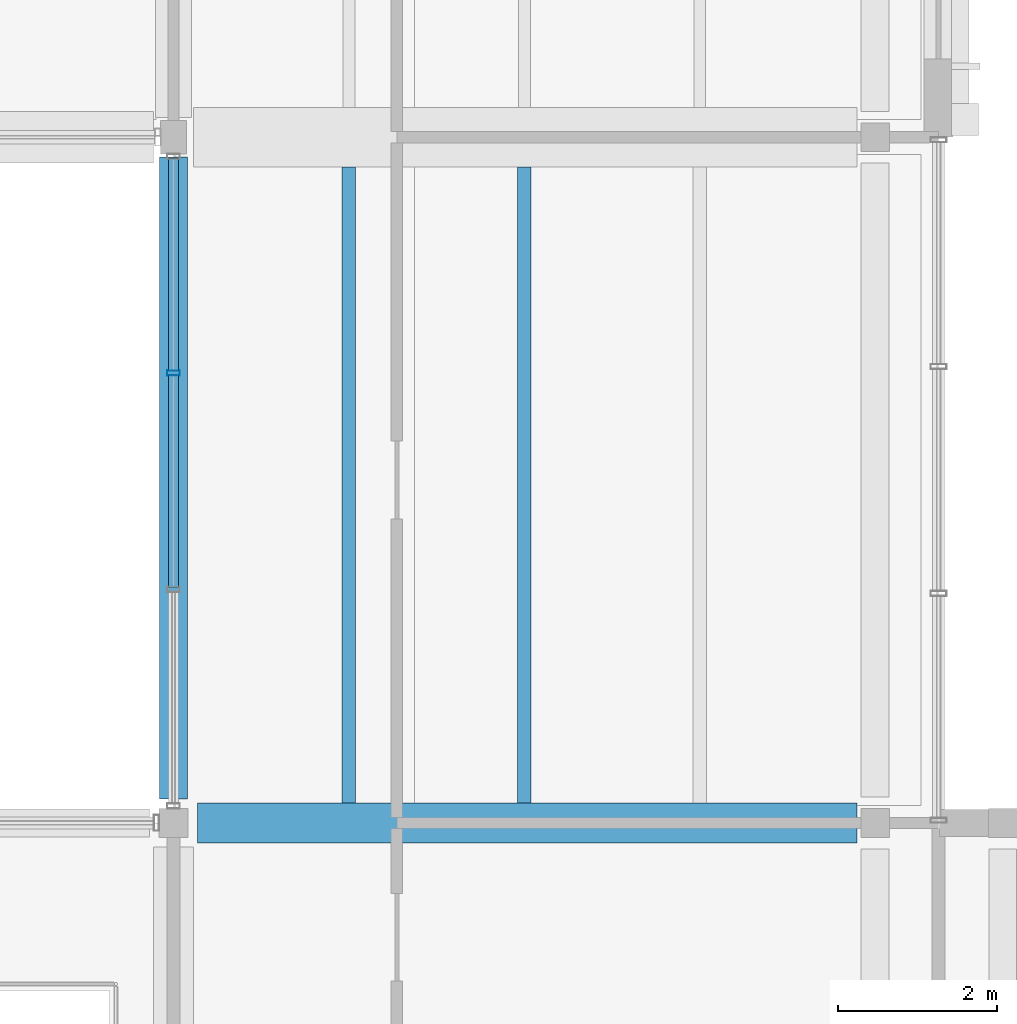
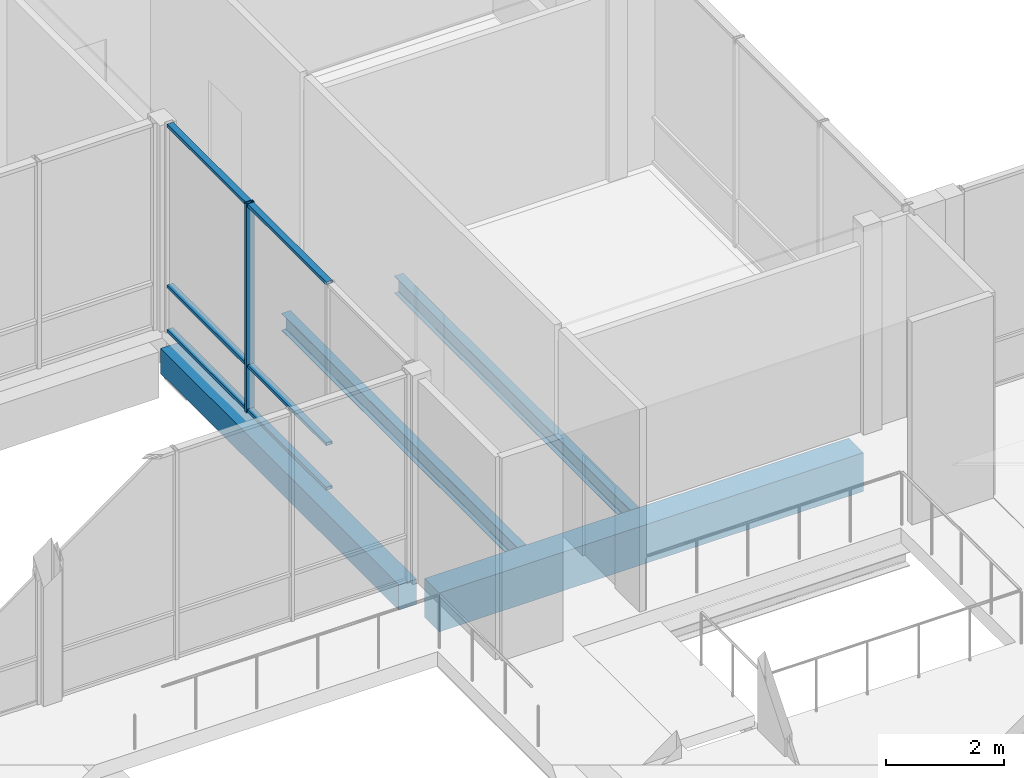
# One storey, part 50 of 146: 7 members, 4 beams, 1 element without a shape of its own.
"""IFC4 building model written with IfcOpenShell, lengths in metres."""

from ifc_helpers import new_model, si_unit, direction, frame, origin, origin_2d, place, context, subcontext, project, spatial, rectangle, hollow_rectangle, i_section, extrude, material, material_profile, profile_set, type_object, element, aggregate, save


model = new_model("IFC4")

# Units and contexts
model_context = context("Model", 3, precision=1e-05, world=origin(), true_north=direction((0.0, 1.0)))
body_context = subcontext(model_context, "Body", "Model", "MODEL_VIEW")
ifc_project = project(units=[si_unit("LENGTHUNIT", "METRE"), si_unit("AREAUNIT", "SQUARE_METRE"), si_unit("VOLUMEUNIT", "CUBIC_METRE"), si_unit("PLANEANGLEUNIT", "RADIAN"), si_unit("MASSUNIT", "GRAM", prefix="KILO")], contexts=[model_context])

# Site, building, storey
site_placement = place(None, origin())
site = spatial("IfcSite", under=ifc_project, at=site_placement, CompositionType="ELEMENT")
building_placement = place(site_placement, origin())
building = spatial("IfcBuilding", under=site, at=building_placement, Name="Hawrajan Terrace Health Centre", CompositionType="ELEMENT")
storey_placement = place(building_placement, frame((0.0, 0.0, 4.5)))
storey = spatial("IfcBuildingStorey", under=building, at=storey_placement, Name="L01", CompositionType="ELEMENT", Elevation=4.5)

# Curtain wall, members
ifc_material_1 = material(Name="Anodized bronze aluminium and low-E solar glazing", Category="aluminium")
curtain_wall_type = type_object("IfcCurtainWallType", Name="CW_Pavilion_SeriesE1", PredefinedType="USERDEFINED", material=ifc_material_1)
curtain_wall_placement = place(storey_placement, origin())
curtain_wall = element("IfcCurtainWall", 1, at=curtain_wall_placement, inside=storey, type_object=curtain_wall_type, Name="Curtain wall CW-L01-084", ObjectType="UNITISED CURTAIN WALL", PredefinedType="USERDEFINED")
ifc_material_2 = material(Name="Anodized bronze aluminium 6063-T6", Category="aluminium")
ifc_material_profile_1 = material_profile(ifc_material_2, hollow_rectangle(XDim=0.06494140625, YDim=0.159912109375, WallThickness=0.00390625, at=origin_2d()), Name="CW MUL 65x160")
ifc_profile_set_1 = profile_set([ifc_material_profile_1], Name="Anodized bronze aluminium 6063-T6")
member_type_1 = type_object("IfcMemberType", Name="CWMullion_65x160", PredefinedType="MULLION", material=ifc_profile_set_1)
member_1_placement = place(storey_placement, frame((62.199951171875, 42.4423828125, -0.0048828125), z_axis=(0.0, 0.0, 1.0), x_axis=(0.0, 1.0, 0.0)))
member_1 = element("IfcMember", 2, at=member_1_placement, type_object=member_type_1, Name="Mullion CW-L01-084-M3", PredefinedType="MULLION", context=body_context, shape_type="SweptSolid", body=[
    extrude(hollow_rectangle(XDim=0.06494140625, YDim=0.159912109375, WallThickness=0.00390625, at=origin_2d()), origin(), (0.0, 0.0, 1.0), 4.309814453125),
])
ifc_material_profile_2 = material_profile(ifc_material_2, hollow_rectangle(XDim=0.06494140625, YDim=0.1201171875, WallThickness=0.00341796875, at=origin_2d()), Name="CW TRN 65x120")
ifc_profile_set_2 = profile_set([ifc_material_profile_2], Name="Anodized bronze aluminium 6063-T6")
member_type_2 = type_object("IfcMemberType", Name="CWTransom_65x120", PredefinedType="USERDEFINED", material=ifc_profile_set_2)
member_2_placement = place(storey_placement, frame((62.199951171875, 39.75390625, 0.032470703125), z_axis=(0.0, 1.0, 0.0), x_axis=(0.0, 0.0, 1.0)))
member_2 = element("IfcMember", 3, at=member_2_placement, type_object=member_type_2, Name="Transom CW-L01-084-T2-1", ObjectType="TRANSOM", PredefinedType="USERDEFINED", context=body_context, shape_type="SweptSolid", body=[
    extrude(hollow_rectangle(XDim=0.06494140625, YDim=0.1201171875, WallThickness=0.00341796875, at=origin_2d()), origin(), (0.0, 0.0, 1.0), 2.662109375),
])
member_3_placement = place(storey_placement, frame((62.199951171875, 39.75390625, 0.949951171875), z_axis=(0.0, 1.0, 0.0), x_axis=(0.0, 0.0, 1.0)))
member_3 = element("IfcMember", 4, at=member_3_placement, type_object=member_type_2, Name="Transom CW-L01-084-T2-2", ObjectType="TRANSOM", PredefinedType="USERDEFINED", context=body_context, shape_type="SweptSolid", body=[
    extrude(hollow_rectangle(XDim=0.06494140625, YDim=0.1201171875, WallThickness=0.00341796875, at=origin_2d()), origin(), (0.0, 0.0, 1.0), 2.662109375),
])
member_4_placement = place(storey_placement, frame((62.199951171875, 39.75390625, 4.267578125), z_axis=(0.0, 1.0, 0.0), x_axis=(0.0, 0.0, 1.0)))
member_4 = element("IfcMember", 5, at=member_4_placement, type_object=member_type_2, Name="Transom CW-L01-084-T2-3", ObjectType="TRANSOM", PredefinedType="USERDEFINED", context=body_context, shape_type="SweptSolid", body=[
    extrude(hollow_rectangle(XDim=0.06494140625, YDim=0.1201171875, WallThickness=0.00341796875, at=origin_2d()), origin(), (0.0, 0.0, 1.0), 2.662109375),
])
member_5_placement = place(storey_placement, frame((62.199951171875, 42.468994140625, 0.032470703125), z_axis=(0.0, 1.0, 0.0), x_axis=(0.0, 0.0, 1.0)))
member_5 = element("IfcMember", 6, at=member_5_placement, type_object=member_type_2, Name="Transom CW-L01-084-T3-1", ObjectType="TRANSOM", PredefinedType="USERDEFINED", context=body_context, shape_type="SweptSolid", body=[
    extrude(hollow_rectangle(XDim=0.06494140625, YDim=0.1201171875, WallThickness=0.00341796875, at=origin_2d()), origin(), (0.0, 0.0, 1.0), 2.662109375),
])
member_6_placement = place(storey_placement, frame((62.199951171875, 42.468994140625, 0.949951171875), z_axis=(0.0, 1.0, 0.0), x_axis=(0.0, 0.0, 1.0)))
member_6 = element("IfcMember", 7, at=member_6_placement, type_object=member_type_2, Name="Transom CW-L01-084-T3-2", ObjectType="TRANSOM", PredefinedType="USERDEFINED", context=body_context, shape_type="SweptSolid", body=[
    extrude(hollow_rectangle(XDim=0.06494140625, YDim=0.1201171875, WallThickness=0.00341796875, at=origin_2d()), origin(), (0.0, 0.0, 1.0), 2.662109375),
])
member_7_placement = place(storey_placement, frame((62.199951171875, 42.468994140625, 4.267578125), z_axis=(0.0, 1.0, 0.0), x_axis=(0.0, 0.0, 1.0)))
member_7 = element("IfcMember", 8, at=member_7_placement, type_object=member_type_2, Name="Transom CW-L01-084-T3-3", ObjectType="TRANSOM", PredefinedType="USERDEFINED", context=body_context, shape_type="SweptSolid", body=[
    extrude(hollow_rectangle(XDim=0.06494140625, YDim=0.1201171875, WallThickness=0.00341796875, at=origin_2d()), origin(), (0.0, 0.0, 1.0), 2.662109375),
])
aggregate(curtain_wall, [member_1, member_2, member_3, member_4, member_5, member_6, member_7])

# Beams
ifc_material_3 = material(Name="Concrete C40/50", Category="concrete")
ifc_material_profile_3 = material_profile(ifc_material_3, rectangle(XDim=0.5, YDim=0.800048828125, at=origin_2d()), Name="RC BM 500x800")
ifc_profile_set_3 = profile_set([ifc_material_profile_3], Name="Concrete C40/50")
beam_type_1 = type_object("IfcBeamType", Name="RCGirder_500x800", PredefinedType="BEAM", material=ifc_profile_set_3)
beam_1_placement = place(storey_placement, frame((62.5, 36.800048828125, -0.699951171875), z_axis=(1.0, 0.0, 0.0), x_axis=(0.0, 1.0, 0.0)))
element("IfcBeam", 9, at=beam_1_placement, inside=storey, type_object=beam_type_1, Name="Beam BM-X-L01-W-09-Y5", PredefinedType="BEAM", context=body_context, shape_type="SweptSolid", body=[
    extrude(rectangle(XDim=0.5, YDim=0.800048828125, at=origin_2d()), origin(), (0.0, 0.0, 1.0), 8.27490234375),
])
ifc_material_profile_4 = material_profile(ifc_material_3, rectangle(XDim=0.35009765625, YDim=0.52001953125, at=origin_2d()), Name="RC SP 350x520")
ifc_profile_set_4 = profile_set([ifc_material_profile_4], Name="Concrete C40/50")
beam_type_2 = type_object("IfcBeamType", Name="RCSpandrel_350x520", PredefinedType="SPANDREL", material=ifc_profile_set_4)
beam_2_placement = place(storey_placement, frame((62.199951171875, 37.10009765625, -0.56005859375), z_axis=(0.0, 1.0, 0.0), x_axis=(-1.0, 0.0, 0.0)))
element("IfcBeam", 10, at=beam_2_placement, inside=storey, type_object=beam_type_2, Name="Beam BM-Y-L01-W-X09-5", PredefinedType="SPANDREL", context=body_context, shape_type="SweptSolid", body=[
    extrude(rectangle(XDim=0.35009765625, YDim=0.52001953125, at=origin_2d()), origin(), (0.0, 0.0, 1.0), 8.0498046875),
])
ifc_material_4 = material(Name="Steel S355", Category="steel")
ifc_material_profile_5 = material_profile(ifc_material_4, i_section(OverallWidth=0.169921875, OverallDepth=0.360107421875, WebThickness=0.008056640625, FlangeThickness=0.0126953125, FilletRadius=0.01806640625, at=origin_2d()), Name="IPE 360")
ifc_profile_set_5 = profile_set([ifc_material_profile_5], Name="Steel S355")
beam_type_3 = type_object("IfcBeamType", Name="SteelBeam_IPE360", PredefinedType="BEAM", material=ifc_profile_set_5)
for number, where, z_axis, x_axis, name in (
    (11, (64.39990234375, 37.050048828125, -0.47998046875), (0.0, 1.0, 0.0), (-1.0, 0.0, 0.0), "Secondary joist JST-L01-W-09-5-1"),
    (12, (66.60009765625, 37.050048828125, -0.47998046875), (0.0, 1.0, 0.0), (-1.0, 0.0, 0.0), "Secondary joist JST-L01-W-09-5-2"),
):
    element("IfcBeam", number, at=place(storey_placement, frame(where, z_axis=z_axis, x_axis=x_axis)), inside=storey, type_object=beam_type_3, Name=name, PredefinedType="BEAM", context=body_context, shape_type="SweptSolid", body=[
        extrude(i_section(OverallWidth=0.169921875, OverallDepth=0.360107421875, WebThickness=0.008056640625, FlangeThickness=0.0126953125, FilletRadius=0.01806640625, at=origin_2d()), origin(), (0.0, 0.0, 1.0), 7.974853515625),
    ])

save(model, "model.ifc")
